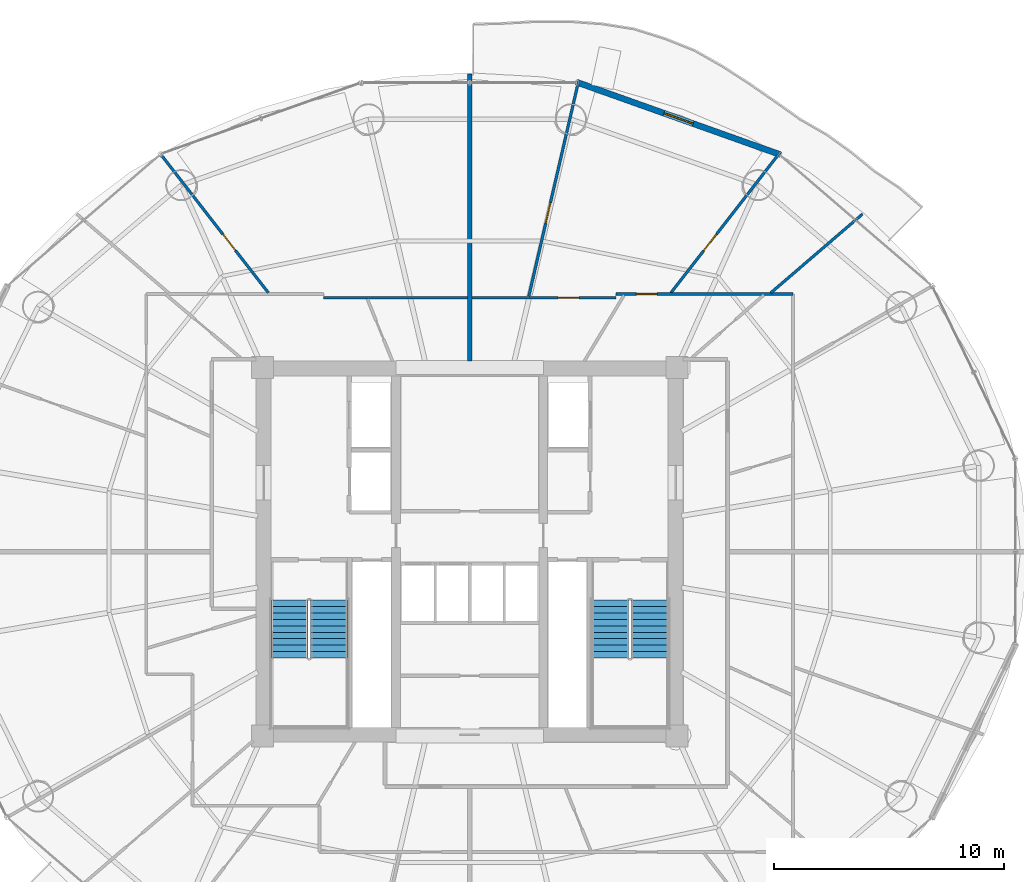
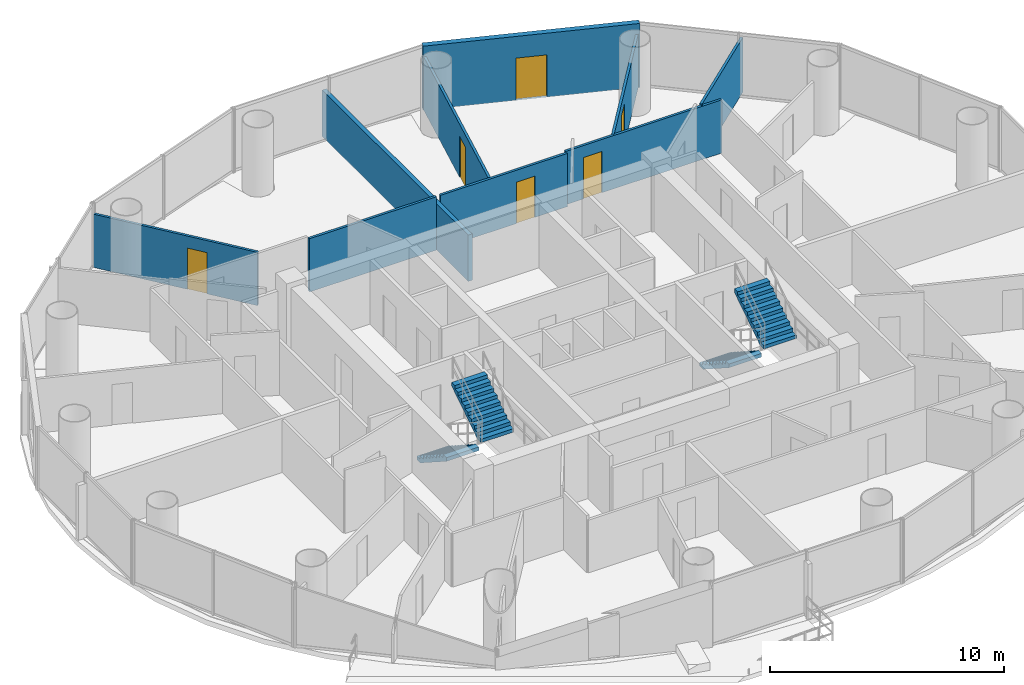
# One storey, part 24 of 27: 9 walls, 6 doors, 4 stair flights, 6 openings, 2 elements without a shape of their own.
"""IFC4 building model written with IfcOpenShell, lengths in metres."""

import ifcopenshell
import ifcopenshell.guid

model = None  # the IFC model being written
_history = None  # IfcOwnerHistory: only IFC2X3 demands one
_inside = {}  # id of a spatial element -> (the spatial element, [elements in it])
_under = {}  # id of a project, library or spatial element -> (it, [spatial elements below it])
_declared = {}  # id of a project -> (the project, [libraries it declares])
_typed = {}  # id of a type object -> (the type object, [elements of that type])
_made_of = {}  # id of a material, layer set ... -> (it, [elements and type objects made of it])


def new_model(schema):
    """Start an empty IFC model of exactly this schema.

    Asked for "IFC4X3", IfcOpenShell would pick the latest addendum, in which some entities
    have other attributes; the version numbers below select the first issue.
    IFC2X3 requires an IfcOwnerHistory on every rooted entity: one is made here for all.
    """
    global model, _history
    if schema == "IFC4X3":
        model = ifcopenshell.file(schema_version=(4, 3, 0, 0))
    else:
        model = ifcopenshell.file(schema=schema)
    _inside.clear()
    _under.clear()
    _declared.clear()
    _typed.clear()
    _made_of.clear()
    _history = None
    if model.schema == "IFC2X3":
        org = make("IfcOrganization", Name="unknown")
        user = make(
            "IfcPersonAndOrganization",
            ThePerson=make("IfcPerson", FamilyName="unknown"),
            TheOrganization=org,
        )
        app = make(
            "IfcApplication",
            ApplicationDeveloper=org,
            Version="unknown",
            ApplicationFullName="unknown",
            ApplicationIdentifier="unknown",
        )
        _history = make(
            "IfcOwnerHistory",
            OwningUser=user,
            OwningApplication=app,
            ChangeAction="ADDED",
            CreationDate=0,
        )
    return model


def make(cls, **values):
    """One entity of the class cls with the attributes given. An attribute that is None is left unset."""
    return model.create_entity(
        cls, **{name: value for name, value in values.items() if value is not None}
    )


def rooted(cls, **values):
    """An entity with a GlobalId (a new one), such as an element, a storey or a relation."""
    return make(cls, GlobalId=ifcopenshell.guid.new(), OwnerHistory=_history, **values)


def si_unit(unit_type, name, prefix=None):
    """IfcSIUnit, for example si_unit("LENGTHUNIT", "METRE", prefix="MILLI")."""
    return make("IfcSIUnit", UnitType=unit_type, Prefix=prefix, Name=name)


def assignment(units):
    """IfcUnitAssignment: the units of a project."""
    return None if units is None else make("IfcUnitAssignment", Units=units)


def point(xyz):
    """IfcCartesianPoint."""
    return None if xyz is None else make("IfcCartesianPoint", Coordinates=xyz)


def direction(xyz):
    """IfcDirection."""
    return None if xyz is None else make("IfcDirection", DirectionRatios=xyz)


def frame(location, z_axis=None, x_axis=None):
    """IfcAxis2Placement3D, a coordinate frame: its origin and axes. An axis left out is left unset."""
    return make(
        "IfcAxis2Placement3D",
        Location=point(location),
        Axis=direction(z_axis),
        RefDirection=direction(x_axis),
    )


def frame_2d(location, x_axis=None):
    """IfcAxis2Placement2D, a coordinate frame in the plane: its origin and x axis."""
    return make(
        "IfcAxis2Placement2D", Location=point(location), RefDirection=direction(x_axis)
    )


def origin():
    """The frame at (0, 0, 0) with its axes left unset."""
    return frame((0.0, 0.0, 0.0))


def place(relative_to, where):
    """IfcLocalPlacement: puts the frame where relative to a parent placement (None: the world)."""
    return make(
        "IfcLocalPlacement", PlacementRelTo=relative_to, RelativePlacement=where
    )


def context(
    kind, dimensions, precision=None, world=None, true_north=None, identifier=None
):
    """IfcGeometricRepresentationContext, for example the 3D "Model" context."""
    return make(
        "IfcGeometricRepresentationContext",
        ContextIdentifier=identifier,
        ContextType=kind,
        CoordinateSpaceDimension=dimensions,
        Precision=precision,
        WorldCoordinateSystem=world,
        TrueNorth=true_north,
    )


def subcontext(parent, identifier, kind, view, scale=None):
    """IfcGeometricRepresentationSubContext, for example "Body" below "Model"."""
    return make(
        "IfcGeometricRepresentationSubContext",
        ContextIdentifier=identifier,
        ContextType=kind,
        ParentContext=parent,
        TargetScale=scale,
        TargetView=view,
    )


def project(units=None, contexts=None):
    """IfcProject with its units and contexts."""
    return rooted(
        "IfcProject",
        Name="project",
        RepresentationContexts=contexts,
        UnitsInContext=assignment(units),
    )


def spatial(cls, under=None, at=None, **own):
    """A site, building, storey or space (cls), placed at a placement, below another one or the project."""
    s = rooted(cls, ObjectPlacement=at, **own)
    if under is not None:
        _under.setdefault(under.id(), (under, []))[1].append(s)
    return s


def polyline(points):
    """IfcPolyline through the points."""
    return make("IfcPolyline", Points=[point(p) for p in points])


def profile(cls, at=None, kind="AREA", **sizes):
    """A parametric profile (cls). Its sizes go by their IFC names, for example OverallWidth=200.0."""
    return make(cls, ProfileType=kind, Position=at, **sizes)


def rectangle(**sizes):
    """IfcRectangleProfileDef."""
    return profile("IfcRectangleProfileDef", **sizes)


def outline(outer, holes=None, kind="AREA"):
    """IfcArbitraryClosedProfileDef: a profile drawn as a closed curve; with holes, ...WithVoids."""
    if holes is None:
        return make("IfcArbitraryClosedProfileDef", ProfileType=kind, OuterCurve=outer)
    return make(
        "IfcArbitraryProfileDefWithVoids",
        ProfileType=kind,
        OuterCurve=outer,
        InnerCurves=holes,
    )


def extrude(swept, where, along, depth):
    """IfcExtrudedAreaSolid: the profile swept, set in the frame where, extruded along a direction by depth."""
    return make(
        "IfcExtrudedAreaSolid",
        SweptArea=swept,
        Position=where,
        ExtrudedDirection=direction(along),
        Depth=depth,
    )


def shape(context_of_items, identifier, shape_type, items):
    """IfcShapeRepresentation: the items that make up one representation, for example the "Body"."""
    return make(
        "IfcShapeRepresentation",
        ContextOfItems=context_of_items,
        RepresentationIdentifier=identifier,
        RepresentationType=shape_type,
        Items=items,
    )


def source(mapping_origin, context_of_items, identifier, shape_type, items):
    """IfcRepresentationMap: a shape defined once, which mapped items show again and again."""
    return make(
        "IfcRepresentationMap",
        MappingOrigin=mapping_origin,
        MappedRepresentation=shape(context_of_items, identifier, shape_type, items),
    )


def transform(
    local_origin,
    x_axis=None,
    y_axis=None,
    z_axis=None,
    scale=None,
    scale2=None,
    scale3=None,
    uniform=True,
):
    """IfcCartesianTransformationOperator3D, or its non-uniform kind. x_axis, y_axis, z_axis: its Axis1, 2, 3."""
    if uniform:
        return make(
            "IfcCartesianTransformationOperator3D",
            Axis1=direction(x_axis),
            Axis2=direction(y_axis),
            LocalOrigin=point(local_origin),
            Scale=scale,
            Axis3=direction(z_axis),
        )
    return make(
        "IfcCartesianTransformationOperator3DnonUniform",
        Axis1=direction(x_axis),
        Axis2=direction(y_axis),
        LocalOrigin=point(local_origin),
        Scale=scale,
        Axis3=direction(z_axis),
        Scale2=scale2,
        Scale3=scale3,
    )


def mapped(mapping_source, mapping_target):
    """IfcMappedItem: shows the shape of a source again, moved by a transform."""
    return make(
        "IfcMappedItem", MappingSource=mapping_source, MappingTarget=mapping_target
    )


def material(Name=None, Category=None):
    """IfcMaterial."""
    return make("IfcMaterial", Name=Name, Category=Category)


def layer(
    of_material, thickness, ventilated=None, Name=None, Category=None, Priority=None
):
    """IfcMaterialLayer: one layer of a wall or slab, of a material (None: an air gap)."""
    return make(
        "IfcMaterialLayer",
        Material=of_material,
        LayerThickness=thickness,
        IsVentilated=ventilated,
        Name=Name,
        Category=Category,
        Priority=Priority,
    )


def layer_set(layers, Name=None):
    """IfcMaterialLayerSet."""
    return make("IfcMaterialLayerSet", MaterialLayers=layers, LayerSetName=Name)


def made_of(thing, what):
    """Note that an element or type object is made of a material, layer set ...; save() writes the relation."""
    if what is not None:
        _made_of.setdefault(what.id(), (what, []))[1].append(thing)
    return thing


def type_object(cls, material=None, **own):
    """A type object (cls), such as IfcWallType, which elements share."""
    return made_of(rooted(cls, **own), material)


def element(
    cls,
    number,
    at=None,
    inside=None,
    cuts=None,
    type_object=None,
    material=None,
    context=None,
    identifier="Body",
    shape_type=None,
    held_by="IfcProductDefinitionShape",
    body=None,
    shapes=None,
    **own,
):
    """One element of the class cls, such as IfcWall. Its Tag is "e" and its number.

    at: its placement. inside: the storey or other place that contains it. cuts: it is an
    opening in that element (IfcRelVoidsElement). A single representation is given by context,
    identifier, shape_type and body (its items); several are given by shapes. held_by: the class
    of the entity that holds the representations. save() writes the other relations.
    """
    e = rooted(cls, Tag="e%d" % number, ObjectPlacement=at, **own)
    if body is not None:
        shapes = [shape(context, identifier, shape_type, body)]
    if shapes is not None:
        e.Representation = make(held_by, Representations=shapes)
    if inside is not None:
        _inside.setdefault(inside.id(), (inside, []))[1].append(e)
    if cuts is not None:
        rooted(
            "IfcRelVoidsElement", RelatingBuildingElement=cuts, RelatedOpeningElement=e
        )
    if type_object is not None:
        _typed.setdefault(type_object.id(), (type_object, []))[1].append(e)
    return made_of(e, material)


def fill(opening, filler):
    """IfcRelFillsElement: the door or window that sits in an opening."""
    return rooted(
        "IfcRelFillsElement",
        RelatingOpeningElement=opening,
        RelatedBuildingElement=filler,
    )


def aggregate(whole, parts):
    """IfcRelAggregates: a whole, such as a stair, and the parts it consists of."""
    return rooted("IfcRelAggregates", RelatingObject=whole, RelatedObjects=parts)


def save(model, path):
    """Write the relations noted so far, then the file.

    IfcRelAggregates (storeys below a building ...), IfcRelContainedInSpatialStructure (elements
    in a storey), IfcRelDefinesByType, IfcRelAssociatesMaterial and IfcRelDeclares: one each for
    every whole, place, type object, material and project.
    """
    for whole, parts in _under.values():
        aggregate(whole, parts)
    for where, things in _inside.values():
        rooted(
            "IfcRelContainedInSpatialStructure",
            RelatedElements=things,
            RelatingStructure=where,
        )
    for kind, things in _typed.values():
        rooted("IfcRelDefinesByType", RelatedObjects=things, RelatingType=kind)
    for what, things in _made_of.values():
        rooted("IfcRelAssociatesMaterial", RelatedObjects=things, RelatingMaterial=what)
    for by, libraries in _declared.values():
        rooted("IfcRelDeclares", RelatingContext=by, RelatedDefinitions=libraries)
    model.write(path)


model = new_model("IFC4")

# Units and contexts
model_context = context("Model", 3, precision=1e-05, world=origin(), true_north=direction((-0.2419218956, 0.970295726276)))
body_context = subcontext(model_context, "Body", "Model", "MODEL_VIEW")
ifc_project = project(units=[si_unit("LENGTHUNIT", "METRE"), si_unit("AREAUNIT", "SQUARE_METRE"), si_unit("VOLUMEUNIT", "CUBIC_METRE"), si_unit("PLANEANGLEUNIT", "RADIAN"), si_unit("MASSUNIT", "GRAM", prefix="KILO")], contexts=[model_context])

# Site, building, storey
site_placement = place(None, origin())
site = spatial("IfcSite", under=ifc_project, at=site_placement, CompositionType="ELEMENT")
building_placement = place(site_placement, origin())
building = spatial("IfcBuilding", under=site, at=building_placement, Name="Cobrevalo Terracotta Tower", CompositionType="ELEMENT")
storey_placement = place(building_placement, frame((0.0, 0.0, 164.199951171875)))
storey = spatial("IfcBuildingStorey", under=building, at=storey_placement, Name="L43", CompositionType="ELEMENT", Elevation=164.199951171875)

# Wall
ifc_material_1 = material(Name="Autoclaved aerated concrete block", Category="concrete")
ifc_layer_1 = layer(ifc_material_1, 0.199951171875)
ifc_layer_set_1 = layer_set([ifc_layer_1], Name="Autoclaved aerated concrete block")
wall_type_1 = type_object("IfcWallType", Name="Fire-rated stair, shaft & demising masonry wall 200 mm", PredefinedType="PARTITIONING", material=ifc_layer_set_1)
wall_1_placement = place(storey_placement, frame((38.0, 35.074951171875, 0.0), z_axis=(0.0, 0.0, 1.0), x_axis=(0.0, 1.0, 0.0)))
element("IfcWall", 1, at=wall_1_placement, inside=storey, type_object=wall_type_1, Name="L43 interior partition IW-L43-DEM-2", PredefinedType="PARTITIONING", context=body_context, shape_type="SweptSolid", body=[
    extrude(rectangle(XDim=12.465087890625, YDim=0.199951171875, at=frame_2d((6.232421875, 0.0))), origin(), (0.0, 0.0, 1.0), 2.4150390625),
])

# Wall, opening, door
ifc_layer_2 = layer(ifc_material_1, 0.260009765625)
ifc_layer_set_2 = layer_set([ifc_layer_2], Name="Autoclaved aerated concrete block")
wall_type_2 = type_object("IfcWallType", Name="Recessed balcony loggia insulated exterior wall 260 mm", PredefinedType="SOLIDWALL", material=ifc_layer_set_2)
wall_2_placement = place(storey_placement, frame((51.50341796875, 44.042724609375, 0.0), z_axis=(0.0, 0.0, 1.0), x_axis=(-0.942095406405, 0.335344964522, 0.0)))
wall_2 = element("IfcWall", 2, at=wall_2_placement, inside=storey, type_object=wall_type_2, Name="L43 balcony loggia wall S03", PredefinedType="SOLIDWALL", context=body_context, shape_type="SweptSolid", body=[
    extrude(rectangle(XDim=9.408203125, YDim=0.260009765625, at=frame_2d((4.7041015625, 0.0))), origin(), (0.0, 0.0, 1.0), 3.330078125),
])
opening_1_placement = place(wall_2_placement, frame((4.029052734375, 0.0, 0.0)))
opening_1 = element("IfcOpeningElement", 3, at=opening_1_placement, cuts=wall_2, Name="Opening ED-05", PredefinedType="OPENING", context=body_context, shape_type="SweptSolid", body=[
    extrude(rectangle(XDim=1.35009765625, YDim=2.199951171875, at=frame_2d((0.675048828125, 1.10009765625))), frame((0.0, 0.14013671875, 0.0), z_axis=(0.0, -1.0, 0.0), x_axis=(1.0, 0.0, 0.0)), (0.0, 0.0, 1.0), 0.280029296875),
])
ifc_material_2 = material(Name="Anodized aluminium and laminated glass", Category="aluminium")
door_type_1 = type_object("IfcDoorType", Name="Suite balcony acoustic glazed terrace door 1350x2200", OperationType="NOTDEFINED", PredefinedType="DOOR", material=ifc_material_2)
shared_shape_1 = source(origin(), body_context, "Body", "SweptSolid", [
    extrude(rectangle(XDim=1.35009765625, YDim=2.199951171875, at=frame_2d((0.675048828125, 1.10009765625))), frame((0.0, 0.02490234375, 0.0), z_axis=(0.0, -1.0, 0.0), x_axis=(1.0, 0.0, 0.0)), (0.0, 0.0, 1.0), 0.050048828125),
])
door_1_placement = place(opening_1_placement, frame((1.35009765625, 0.0, 0.0), z_axis=(0.0, 0.0, 1.0), x_axis=(-1.0, 0.0, 0.0)))
door_1 = element("IfcDoor", 4, at=door_1_placement, inside=storey, type_object=door_type_1, Name="L43 glazed balcony terrace door 1", OperationType="SINGLE_SWING_LEFT", OverallHeight=2.199951171875, OverallWidth=1.35009765625, PredefinedType="DOOR", context=body_context, shape_type="MappedRepresentation", body=[
    mapped(shared_shape_1, transform((0.0, 0.0, 0.0), scale=1.0)),
])
fill(opening_1, door_1)

ifc_material_3 = material(Name="Gypsum board on steel stud", Category="steel")
ifc_layer_3 = layer(ifc_material_3, 0.1201171875)
ifc_layer_set_3 = layer_set([ifc_layer_3], Name="Gypsum board on steel stud")
wall_type_3 = type_object("IfcWallType", Name="Residential internal acoustic stud partition 120 mm", PredefinedType="PARTITIONING", material=ifc_layer_set_3)
wall_3_placement = place(storey_placement, frame((38.10205078125, 37.8349609375, 0.0), z_axis=(0.0, 0.0, 1.0), x_axis=(1.0, 0.0, 0.0)))
wall_3 = element("IfcWall", 5, at=wall_3_placement, inside=storey, type_object=wall_type_3, Name="L43 interior partition IW-L43-U1-RING0_0", PredefinedType="PARTITIONING", context=body_context, shape_type="SweptSolid", body=[
    extrude(rectangle(XDim=6.2529296875, YDim=0.1201171875, at=frame_2d((3.12646484375, 0.0))), origin(), (0.0, 0.0, 1.0), 2.776123046875),
])
opening_2_placement = place(wall_3_placement, frame((3.742431640625, 0.0, 0.0)))
opening_2 = element("IfcOpeningElement", 6, at=opening_2_placement, cuts=wall_3, Name="Opening ID-12", PredefinedType="OPENING", context=body_context, shape_type="SweptSolid", body=[
    extrude(rectangle(XDim=0.89990234375, YDim=2.14990234375, at=frame_2d((0.449951171875, 1.074951171875))), frame((0.0, 0.070068359375, 0.0), z_axis=(0.0, -1.0, 0.0), x_axis=(1.0, 0.0, 0.0)), (0.0, 0.0, 1.0), 0.14013671875),
])
ifc_material_4 = material(Name="Engineered timber", Category="wood")
door_type_2 = type_object("IfcDoorType", Name="Internal residence & suite timber door 900x2150", OperationType="NOTDEFINED", PredefinedType="DOOR", material=ifc_material_4)
shared_shape_2 = source(origin(), body_context, "Body", "SweptSolid", [
    extrude(rectangle(XDim=0.89990234375, YDim=2.14990234375, at=frame_2d((0.449951171875, 1.074951171875))), frame((0.0, 0.02490234375, 0.0), z_axis=(0.0, -1.0, 0.0), x_axis=(1.0, 0.0, 0.0)), (0.0, 0.0, 1.0), 0.050048828125),
])
door_2_placement = place(opening_2_placement, frame((0.89990234375, 0.0, 0.0), z_axis=(0.0, 0.0, 1.0), x_axis=(-1.0, 0.0, 0.0)))
door_2 = element("IfcDoor", 7, at=door_2_placement, inside=storey, type_object=door_type_2, Name="Flat L43A Private Library Meeting Room internal door", OperationType="SINGLE_SWING_RIGHT", OverallHeight=2.14990234375, OverallWidth=0.89990234375, PredefinedType="DOOR", context=body_context, shape_type="MappedRepresentation", body=[
    mapped(shared_shape_2, transform((0.0, 0.0, 0.0), scale=1.0)),
])
fill(opening_2, door_2)

wall_4_placement = place(storey_placement, frame((44.35498046875, 37.9951171875, 0.0), z_axis=(0.0, 0.0, 1.0), x_axis=(1.0, 0.0, 0.0)))
wall_4 = element("IfcWall", 8, at=wall_4_placement, inside=storey, type_object=wall_type_3, Name="L43 interior partition IW-L43-U1-RING2_0", PredefinedType="PARTITIONING", context=body_context, shape_type="SweptSolid", body=[
    extrude(rectangle(XDim=7.68994140625, YDim=0.1201171875, at=frame_2d((3.844970703125, 0.0))), origin(), (0.0, 0.0, 1.0), 2.776123046875),
])
opening_3_placement = place(wall_4_placement, frame((0.887451171875, 0.0, 0.0)))
opening_3 = element("IfcOpeningElement", 9, at=opening_3_placement, cuts=wall_4, Name="Opening ID-12", PredefinedType="OPENING", context=body_context, shape_type="SweptSolid", body=[
    extrude(rectangle(XDim=0.89990234375, YDim=2.14990234375, at=frame_2d((0.449951171875, 1.074951171875))), frame((0.0, 0.070068359375, 0.0), z_axis=(0.0, -1.0, 0.0), x_axis=(1.0, 0.0, 0.0)), (0.0, 0.0, 1.0), 0.14013671875),
])
door_3_placement = place(opening_3_placement, origin())
door_3 = element("IfcDoor", 10, at=door_3_placement, inside=storey, type_object=door_type_2, Name="Flat L43A Penthouse Family Lounge internal door", OperationType="SINGLE_SWING_LEFT", OverallHeight=2.14990234375, OverallWidth=0.89990234375, PredefinedType="DOOR", context=body_context, shape_type="MappedRepresentation", body=[
    mapped(shared_shape_2, transform((0.0, 0.0, 0.0), scale=1.0)),
])
fill(opening_3, door_3)

# Wall
wall_5_placement = place(storey_placement, frame((51.072021484375, 38.035400390625, 0.0), z_axis=(0.0, 0.0, 1.0), x_axis=(0.758368609512, 0.65182593697, 0.0)))
element("IfcWall", 11, at=wall_5_placement, inside=storey, type_object=wall_type_3, Name="L43 interior partition IW-L43-U1-ORAD2", PredefinedType="PARTITIONING", context=body_context, shape_type="SweptSolid", body=[
    extrude(rectangle(XDim=5.263427734375, YDim=0.1201171875, at=frame_2d((2.6318359375, 0.0))), origin(), (0.0, 0.0, 1.0), 2.845947265625),
])

# Wall, opening, door
wall_6_placement = place(storey_placement, frame((46.740966796875, 38.0439453125, 0.0), z_axis=(0.0, 0.0, 1.0), x_axis=(0.613770587295, 0.789484430607, 0.0)))
wall_6 = element("IfcWall", 12, at=wall_6_placement, inside=storey, type_object=wall_type_3, Name="L43 interior partition IW-L43-U1-ORAD3M1", PredefinedType="PARTITIONING", context=body_context, shape_type="SweptSolid", body=[
    extrude(rectangle(XDim=7.5556640625, YDim=0.1201171875, at=frame_2d((3.77783203125, 0.0))), origin(), (0.0, 0.0, 1.0), 2.776123046875),
])
opening_4_placement = place(wall_6_placement, frame((2.324951171875, 0.0, 0.0)))
opening_4 = element("IfcOpeningElement", 13, at=opening_4_placement, cuts=wall_6, Name="Opening ID-12", PredefinedType="OPENING", context=body_context, shape_type="SweptSolid", body=[
    extrude(rectangle(XDim=0.89990234375, YDim=2.14990234375, at=frame_2d((0.449951171875, 1.074951171875))), frame((0.0, 0.070068359375, 0.0), z_axis=(0.0, -1.0, 0.0), x_axis=(1.0, 0.0, 0.0)), (0.0, 0.0, 1.0), 0.14013671875),
])
door_4_placement = place(opening_4_placement, frame((0.89990234375, 0.0, 0.0), z_axis=(0.0, 0.0, 1.0), x_axis=(-1.0, 0.0, 0.0)))
door_4 = element("IfcDoor", 14, at=door_4_placement, inside=storey, type_object=door_type_2, Name="Flat L43A Principal Guest Bedroom internal door", OperationType="SINGLE_SWING_RIGHT", OverallHeight=2.14990234375, OverallWidth=0.89990234375, PredefinedType="DOOR", context=body_context, shape_type="MappedRepresentation", body=[
    mapped(shared_shape_2, transform((0.0, 0.0, 0.0), scale=1.0)),
])
fill(opening_4, door_4)

wall_7_placement = place(storey_placement, frame((40.56787109375, 37.8955078125, 0.0), z_axis=(0.0, 0.0, 1.0), x_axis=(0.225452174141, 0.974254236416, 0.0)))
wall_7 = element("IfcWall", 15, at=wall_7_placement, inside=storey, type_object=wall_type_3, Name="L43 interior partition IW-L43-U1-ORAD3", PredefinedType="PARTITIONING", context=body_context, shape_type="SweptSolid", body=[
    extrude(rectangle(XDim=9.446044921875, YDim=0.1201171875, at=frame_2d((4.72314453125, 0.0))), origin(), (0.0, 0.0, 1.0), 2.776123046875),
])
opening_5_placement = place(wall_7_placement, frame((3.263916015625, 0.0, 0.0)))
opening_5 = element("IfcOpeningElement", 16, at=opening_5_placement, cuts=wall_7, Name="Opening ID-12", PredefinedType="OPENING", context=body_context, shape_type="SweptSolid", body=[
    extrude(rectangle(XDim=0.89990234375, YDim=2.14990234375, at=frame_2d((0.449951171875, 1.074951171875))), frame((0.0, 0.070068359375, 0.0), z_axis=(0.0, -1.0, 0.0), x_axis=(1.0, 0.0, 0.0)), (0.0, 0.0, 1.0), 0.14013671875),
])
door_5_placement = place(opening_5_placement, origin())
door_5 = element("IfcDoor", 17, at=door_5_placement, inside=storey, type_object=door_type_2, Name="Flat L43A North Bedroom internal door", OperationType="SINGLE_SWING_LEFT", OverallHeight=2.14990234375, OverallWidth=0.89990234375, PredefinedType="DOOR", context=body_context, shape_type="MappedRepresentation", body=[
    mapped(shared_shape_2, transform((0.0, 0.0, 0.0), scale=1.0)),
])
fill(opening_5, door_5)

# Wall
wall_8_placement = place(storey_placement, frame((31.64501953125, 37.8349609375, 0.0), z_axis=(0.0, 0.0, 1.0), x_axis=(1.0, 0.0, 0.0)))
element("IfcWall", 18, at=wall_8_placement, inside=storey, type_object=wall_type_3, Name="L43 interior partition IW-L43-U2-RING3_0", PredefinedType="PARTITIONING", context=body_context, shape_type="SweptSolid", body=[
    extrude(rectangle(XDim=6.2529296875, YDim=0.1201171875, at=frame_2d((3.12646484375, 0.0))), origin(), (0.0, 0.0, 1.0), 2.776123046875),
])

# Wall, opening, door
wall_9_placement = place(storey_placement, frame((29.259033203125, 38.0439453125, 0.0), z_axis=(0.0, 0.0, 1.0), x_axis=(-0.613770587295, 0.789484430607, 0.0)))
wall_9 = element("IfcWall", 19, at=wall_9_placement, inside=storey, type_object=wall_type_3, Name="L43 interior partition IW-L43-U2-ORAD1", PredefinedType="PARTITIONING", context=body_context, shape_type="SweptSolid", body=[
    extrude(rectangle(XDim=7.5556640625, YDim=0.1201171875, at=frame_2d((3.77783203125, 0.0))), origin(), (0.0, 0.0, 1.0), 2.776123046875),
])
opening_6_placement = place(wall_9_placement, frame((2.32958984375, 0.0, 0.0)))
opening_6 = element("IfcOpeningElement", 20, at=opening_6_placement, cuts=wall_9, Name="Opening ID-12", PredefinedType="OPENING", context=body_context, shape_type="SweptSolid", body=[
    extrude(rectangle(XDim=0.89990234375, YDim=2.14990234375, at=frame_2d((0.449951171875, 1.074951171875))), frame((0.0, 0.070068359375, 0.0), z_axis=(0.0, -1.0, 0.0), x_axis=(1.0, 0.0, 0.0)), (0.0, 0.0, 1.0), 0.14013671875),
])
door_6_placement = place(opening_6_placement, frame((0.89990234375, 0.0, 0.0), z_axis=(0.0, 0.0, 1.0), x_axis=(-1.0, 0.0, 0.0)))
door_6 = element("IfcDoor", 21, at=door_6_placement, inside=storey, type_object=door_type_2, Name="Flat L43B Penthouse Living and Dining Room internal door", OperationType="SINGLE_SWING_RIGHT", OverallHeight=2.14990234375, OverallWidth=0.89990234375, PredefinedType="DOOR", context=body_context, shape_type="MappedRepresentation", body=[
    mapped(shared_shape_2, transform((0.0, 0.0, 0.0), scale=1.0)),
])
fill(opening_6, door_6)

# Stair, stair flights
ifc_material_5 = material(Name="Concrete C50", Category="concrete")
stair_type = type_object("IfcStairType", Name="Core protected escape dogleg stair 1600", PredefinedType="HALF_TURN_STAIR", material=ifc_material_5)
stair_1_placement = place(storey_placement, origin())
stair_1 = element("IfcStair", 22, at=stair_1_placement, inside=storey, type_object=stair_type, Name="L43 Protected exit stair ST-1", PredefinedType="HALF_TURN_STAIR")
stair_flight_type = type_object("IfcStairFlightType", Name="Core protected escape dogleg stair 1600 flight", PredefinedType="STRAIGHT", material=ifc_material_5)
stair_flight_1_placement = place(storey_placement, frame((30.175048828125, 24.699951171875, 0.0), z_axis=(0.0, 0.0, 1.0), x_axis=(0.0, -1.0, 0.0)))
stair_flight_1 = element("IfcStairFlight", 23, at=stair_flight_1_placement, type_object=stair_flight_type, Name="ST-1 flight 1", NumberOfRisers=10, NumberOfTreads=9, PredefinedType="STRAIGHT", RiserHeight=0.18, TreadLength=0.28, context=body_context, shape_type="SweptSolid", body=[
    extrude(outline(polyline([(0.0, 0.0), (0.0, 0.179931640625), (0.280029296875, 0.179931640625), (0.280029296875, 0.360107421875), (0.56005859375, 0.360107421875), (0.56005859375, 0.5400390625), (0.840087890625, 0.5400390625), (0.840087890625, 0.719970703125), (1.1201171875, 0.719970703125), (1.1201171875, 0.89990234375), (1.39990234375, 0.89990234375), (1.39990234375, 1.080078125), (1.679931640625, 1.080078125), (1.679931640625, 1.260009765625), (1.9599609375, 1.260009765625), (1.9599609375, 1.43994140625), (2.239990234375, 1.43994140625), (2.239990234375, 1.6201171875), (2.52001953125, 1.6201171875), (2.52001953125, 1.800048828125), (2.52001953125, 1.429931640625), (0.295654296875, 0.0), (0.0, 0.0)])), frame((0.0, 0.800048828125, 0.0), z_axis=(0.0, -1.0, 0.0), x_axis=(1.0, 0.0, 0.0)), (0.0, 0.0, 1.0), 1.60009765625),
])
stair_flight_2_placement = place(storey_placement, frame((31.89501953125, 22.179931640625, 1.800048828125), z_axis=(0.0, 0.0, 1.0), x_axis=(0.0, 1.0, 0.0)))
stair_flight_2 = element("IfcStairFlight", 24, at=stair_flight_2_placement, type_object=stair_flight_type, Name="ST-1 flight 2", NumberOfRisers=10, NumberOfTreads=9, PredefinedType="STRAIGHT", RiserHeight=0.18, TreadLength=0.28, context=body_context, shape_type="SweptSolid", body=[
    extrude(outline(polyline([(0.0, 0.0), (0.0, 0.179931640625), (0.280029296875, 0.179931640625), (0.280029296875, 0.360107421875), (0.56005859375, 0.360107421875), (0.56005859375, 0.5400390625), (0.840087890625, 0.5400390625), (0.840087890625, 0.719970703125), (1.1201171875, 0.719970703125), (1.1201171875, 0.89990234375), (1.39990234375, 0.89990234375), (1.39990234375, 1.080078125), (1.679931640625, 1.080078125), (1.679931640625, 1.260009765625), (1.9599609375, 1.260009765625), (1.9599609375, 1.43994140625), (2.239990234375, 1.43994140625), (2.239990234375, 1.6201171875), (2.52001953125, 1.6201171875), (2.52001953125, 1.800048828125), (2.52001953125, 1.429931640625), (0.295654296875, 0.0), (0.0, 0.0)])), frame((0.0, 0.800048828125, 0.0), z_axis=(0.0, -1.0, 0.0), x_axis=(1.0, 0.0, 0.0)), (0.0, 0.0, 1.0), 1.60009765625),
])
aggregate(stair_1, [stair_flight_1, stair_flight_2])

stair_2_placement = place(storey_placement, origin())
stair_2 = element("IfcStair", 25, at=stair_2_placement, inside=storey, type_object=stair_type, Name="L43 Protected exit stair ST-2", PredefinedType="HALF_TURN_STAIR")
stair_flight_3_placement = place(storey_placement, frame((44.10498046875, 24.699951171875, 0.0), z_axis=(0.0, 0.0, 1.0), x_axis=(0.0, -1.0, 0.0)))
stair_flight_3 = element("IfcStairFlight", 26, at=stair_flight_3_placement, type_object=stair_flight_type, Name="ST-2 flight 1", NumberOfRisers=10, NumberOfTreads=9, PredefinedType="STRAIGHT", RiserHeight=0.18, TreadLength=0.28, context=body_context, shape_type="SweptSolid", body=[
    extrude(outline(polyline([(0.0, 0.0), (0.0, 0.179931640625), (0.280029296875, 0.179931640625), (0.280029296875, 0.360107421875), (0.56005859375, 0.360107421875), (0.56005859375, 0.5400390625), (0.840087890625, 0.5400390625), (0.840087890625, 0.719970703125), (1.1201171875, 0.719970703125), (1.1201171875, 0.89990234375), (1.39990234375, 0.89990234375), (1.39990234375, 1.080078125), (1.679931640625, 1.080078125), (1.679931640625, 1.260009765625), (1.9599609375, 1.260009765625), (1.9599609375, 1.43994140625), (2.239990234375, 1.43994140625), (2.239990234375, 1.6201171875), (2.52001953125, 1.6201171875), (2.52001953125, 1.800048828125), (2.52001953125, 1.429931640625), (0.295654296875, 0.0), (0.0, 0.0)])), frame((0.0, 0.800048828125, 0.0), z_axis=(0.0, -1.0, 0.0), x_axis=(1.0, 0.0, 0.0)), (0.0, 0.0, 1.0), 1.60009765625),
])
stair_flight_4_placement = place(storey_placement, frame((45.824951171875, 22.179931640625, 1.800048828125), z_axis=(0.0, 0.0, 1.0), x_axis=(0.0, 1.0, 0.0)))
stair_flight_4 = element("IfcStairFlight", 27, at=stair_flight_4_placement, type_object=stair_flight_type, Name="ST-2 flight 2", NumberOfRisers=10, NumberOfTreads=9, PredefinedType="STRAIGHT", RiserHeight=0.18, TreadLength=0.28, context=body_context, shape_type="SweptSolid", body=[
    extrude(outline(polyline([(0.0, 0.0), (0.0, 0.179931640625), (0.280029296875, 0.179931640625), (0.280029296875, 0.360107421875), (0.56005859375, 0.360107421875), (0.56005859375, 0.5400390625), (0.840087890625, 0.5400390625), (0.840087890625, 0.719970703125), (1.1201171875, 0.719970703125), (1.1201171875, 0.89990234375), (1.39990234375, 0.89990234375), (1.39990234375, 1.080078125), (1.679931640625, 1.080078125), (1.679931640625, 1.260009765625), (1.9599609375, 1.260009765625), (1.9599609375, 1.43994140625), (2.239990234375, 1.43994140625), (2.239990234375, 1.6201171875), (2.52001953125, 1.6201171875), (2.52001953125, 1.800048828125), (2.52001953125, 1.429931640625), (0.295654296875, 0.0), (0.0, 0.0)])), frame((0.0, 0.800048828125, 0.0), z_axis=(0.0, -1.0, 0.0), x_axis=(1.0, 0.0, 0.0)), (0.0, 0.0, 1.0), 1.60009765625),
])
aggregate(stair_2, [stair_flight_3, stair_flight_4])

save(model, "model.ifc")
